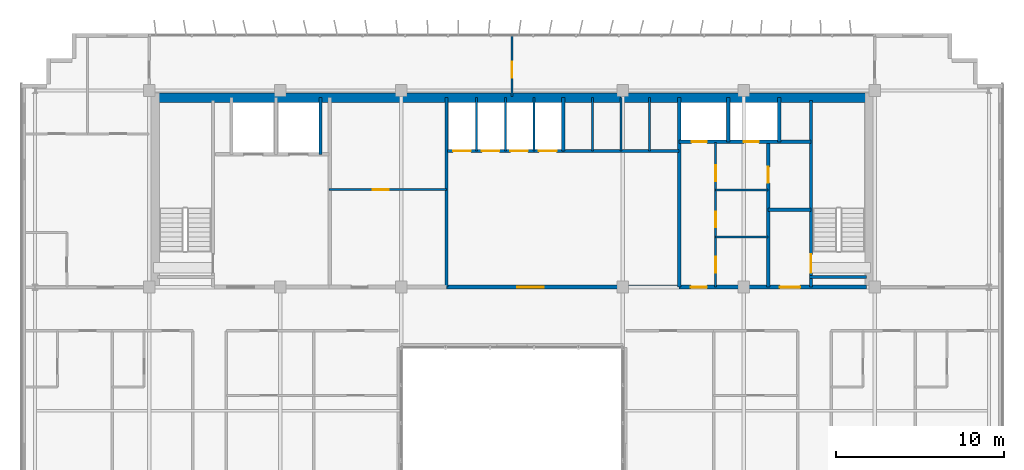
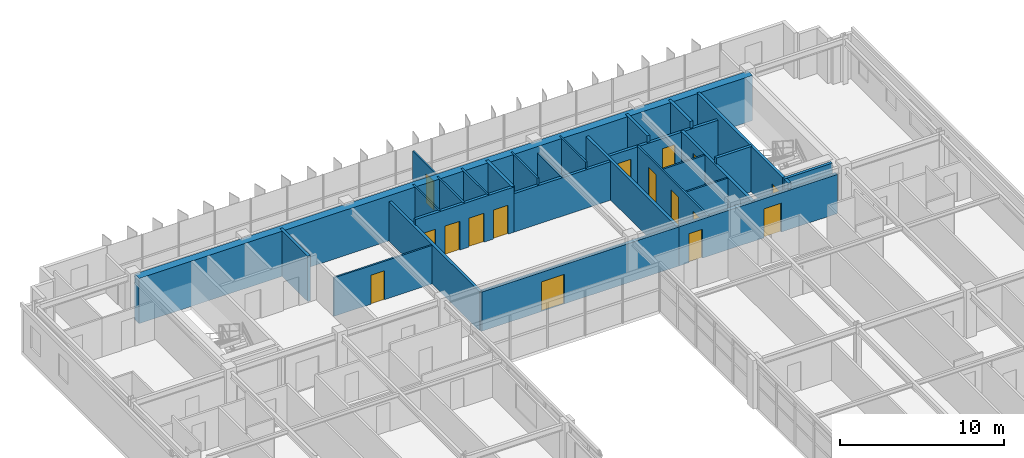
# One storey, part 32 of 35: 27 walls, 16 doors, 16 openings.
"""IFC4 building model written with IfcOpenShell, lengths in metres."""

from ifc_helpers import new_model, si_unit, direction, frame, frame_2d, origin, place, context, subcontext, project, spatial, rectangle, extrude, source, transform, mapped, material, layer, layer_set, type_object, element, fill, save


model = new_model("IFC4")

# Units and contexts
model_context = context("Model", 3, precision=1e-05, world=origin(), true_north=direction((0.0, 1.0)))
body_context = subcontext(model_context, "Body", "Model", "MODEL_VIEW")
ifc_project = project(units=[si_unit("LENGTHUNIT", "METRE"), si_unit("AREAUNIT", "SQUARE_METRE"), si_unit("VOLUMEUNIT", "CUBIC_METRE"), si_unit("PLANEANGLEUNIT", "RADIAN"), si_unit("MASSUNIT", "GRAM", prefix="KILO")], contexts=[model_context])

# Site, building, storey
site_placement = place(None, origin())
site = spatial("IfcSite", under=ifc_project, at=site_placement, CompositionType="ELEMENT")
building_placement = place(site_placement, origin())
building = spatial("IfcBuilding", under=site, at=building_placement, Name="Trelvane Seafront Commons", CompositionType="ELEMENT")
storey_placement = place(building_placement, frame((0.0, 0.0, 194.10009765625)))
storey = spatial("IfcBuildingStorey", under=building, at=storey_placement, Name="L50", CompositionType="ELEMENT", Elevation=194.10009765625)

# Wall, opening, door
ifc_material_1 = material(Name="Concrete C40/50", Category="concrete")
ifc_layer_1 = layer(ifc_material_1, 0.199951171875, Name="ARCH-WALL-FIRE200")
ifc_layer_set_1 = layer_set([ifc_layer_1], Name="Concrete C40/50")
wall_type_1 = type_object("IfcWallType", Name="ARCH-WALL-FIRE200", PredefinedType="PARTITIONING", material=ifc_layer_set_1)
wall_1_placement = place(storey_placement, frame((52.449951171875, 33.39990234375, 0.0), z_axis=(0.0, 0.0, 1.0), x_axis=(0.0, 1.0, 0.0)))
wall_1 = element("IfcWall", 1, at=wall_1_placement, inside=storey, type_object=wall_type_1, Name="W-L50-ST2V-W-031", PredefinedType="PARTITIONING", context=body_context, shape_type="SweptSolid", body=[
    extrude(rectangle(XDim=8.650146484375, YDim=0.199951171875, at=frame_2d((4.3251953125, 0.0))), origin(), (0.0, 0.0, 1.0), 2.909912109375),
])
opening_1_placement = place(wall_1_placement, frame((6.199951171875, 0.0, 0.0)))
opening_1 = element("IfcOpeningElement", 2, at=opening_1_placement, cuts=wall_1, Name="Opening FD-L50-15", PredefinedType="OPENING", context=body_context, shape_type="SweptSolid", body=[
    extrude(rectangle(XDim=0.949951171875, YDim=2.14990234375, at=frame_2d((0.47509765625, 1.074951171875))), frame((0.0, 0.10986328125, 0.0), z_axis=(0.0, -1.0, 0.0), x_axis=(1.0, 0.0, 0.0)), (0.0, 0.0, 1.0), 0.219970703125),
])
ifc_material_2 = material(Name="Powder-coated aluminium frame", Category="aluminium")
door_type_1 = type_object("IfcDoorType", Name="ARCH-DR-FD60-950", OperationType="NOTDEFINED", PredefinedType="DOOR", material=ifc_material_2)
shared_shape_1 = source(origin(), body_context, "Body", "SweptSolid", [
    extrude(rectangle(XDim=0.949951171875, YDim=2.14990234375, at=frame_2d((0.47509765625, 1.074951171875))), frame((0.0, 0.02490234375, 0.0), z_axis=(0.0, -1.0, 0.0), x_axis=(1.0, 0.0, 0.0)), (0.0, 0.0, 1.0), 0.050048828125),
])
door_1_placement = place(opening_1_placement, origin())
door_1 = element("IfcDoor", 3, at=door_1_placement, inside=storey, type_object=door_type_1, Name="L50 Cleaner Store Door", OperationType="SINGLE_SWING_LEFT", OverallHeight=2.14990234375, OverallWidth=0.949951171875, PredefinedType="DOOR", context=body_context, shape_type="MappedRepresentation", body=[
    mapped(shared_shape_1, transform((0.0, 0.0, 0.0), x_axis=(1.0, 0.0, 0.0), y_axis=(0.0, 1.0, 0.0), z_axis=(0.0, 0.0, 1.0), scale=1.0)),
])
fill(opening_1, door_1)

# Wall
wall_2_placement = place(storey_placement, frame((52.449951171875, 38.0, 0.0), z_axis=(0.0, 0.0, 1.0), x_axis=(1.0, 0.0, 0.0)))
element("IfcWall", 4, at=wall_2_placement, inside=storey, type_object=wall_type_1, Name="W-L50-ST2V-N-032", PredefinedType="PARTITIONING", context=body_context, shape_type="SweptSolid", body=[
    extrude(rectangle(XDim=2.550048828125, YDim=0.199951171875, at=frame_2d((1.27490234375, 0.0))), origin(), (0.0, 0.0, 1.0), 3.35986328125),
])

# Wall, opening, door
ifc_layer_2 = layer(ifc_material_1, 0.25, Name="ARCH-WALL-FIRE250")
ifc_layer_set_2 = layer_set([ifc_layer_2], Name="Concrete C40/50")
wall_type_2 = type_object("IfcWallType", Name="ARCH-WALL-FIRE250", PredefinedType="PARTITIONING", material=ifc_layer_set_2)
wall_3_placement = place(storey_placement, frame((33.300048828125, 33.39990234375, 0.0), z_axis=(0.0, 0.0, 1.0), x_axis=(1.0, 0.0, 0.0)))
wall_3 = element("IfcWall", 5, at=wall_3_placement, inside=storey, type_object=wall_type_2, Name="W-L50-CS-PAX-027", PredefinedType="PARTITIONING", context=body_context, shape_type="SweptSolid", body=[
    extrude(rectangle(XDim=13.849853515625, YDim=0.25, at=frame_2d((6.9248046875, 0.0))), origin(), (0.0, 0.0, 1.0), 2.909912109375),
])
opening_2_placement = place(wall_3_placement, frame((4.199951171875, 0.0, 0.0)))
opening_2 = element("IfcOpeningElement", 6, at=opening_2_placement, cuts=wall_3, Name="Opening FD-L50-12", PredefinedType="OPENING", context=body_context, shape_type="SweptSolid", body=[
    extrude(rectangle(XDim=1.60009765625, YDim=2.199951171875, at=frame_2d((0.800048828125, 1.10009765625))), frame((0.0, 0.135009765625, 0.0), z_axis=(0.0, -1.0, 0.0), x_axis=(1.0, 0.0, 0.0)), (0.0, 0.0, 1.0), 0.27001953125),
])
door_type_2 = type_object("IfcDoorType", Name="ARCH-DR-FD60-1600", OperationType="DOUBLE_DOOR_SINGLE_SWING", PredefinedType="DOOR", material=ifc_material_2)
shared_shape_2 = source(origin(), body_context, "Body", "SweptSolid", [
    extrude(rectangle(XDim=1.60009765625, YDim=2.199951171875, at=frame_2d((0.800048828125, 1.10009765625))), frame((0.0, 0.02490234375, 0.0), z_axis=(0.0, -1.0, 0.0), x_axis=(1.0, 0.0, 0.0)), (0.0, 0.0, 1.0), 0.050048828125),
])
door_2_placement = place(opening_2_placement, origin())
door_2 = element("IfcDoor", 7, at=door_2_placement, inside=storey, type_object=door_type_2, Name="L50 Passenger Lift Lobby Double Door", OperationType="DOUBLE_DOOR_SINGLE_SWING", OverallHeight=2.199951171875, OverallWidth=1.60009765625, PredefinedType="DOOR", context=body_context, shape_type="MappedRepresentation", body=[
    mapped(shared_shape_2, transform((0.0, 0.0, 0.0), x_axis=(1.0, 0.0, 0.0), y_axis=(0.0, 1.0, 0.0), z_axis=(0.0, 0.0, 1.0), scale=1.0)),
])
fill(opening_2, door_2)

# Wall, openings, doors
wall_4_placement = place(storey_placement, frame((47.14990234375, 33.39990234375, 0.0), z_axis=(0.0, 0.0, 1.0), x_axis=(1.0, 0.0, 0.0)))
wall_4 = element("IfcWall", 8, at=wall_4_placement, inside=storey, type_object=wall_type_2, Name="W-L50-CS-EAST-036", PredefinedType="PARTITIONING", context=body_context, shape_type="SweptSolid", body=[
    extrude(rectangle(XDim=11.150146484375, YDim=0.25, at=frame_2d((5.5751953125, 0.0))), origin(), (0.0, 0.0, 1.0), 2.909912109375),
])
opening_3_placement = place(wall_4_placement, frame((0.699951171875, 0.0, 0.0)))
opening_3 = element("IfcOpeningElement", 9, at=opening_3_placement, cuts=wall_4, Name="Opening FD-L50-19", PredefinedType="OPENING", context=body_context, shape_type="SweptSolid", body=[
    extrude(rectangle(XDim=0.949951171875, YDim=2.14990234375, at=frame_2d((0.47509765625, 1.074951171875))), frame((0.0, 0.135009765625, 0.0), z_axis=(0.0, -1.0, 0.0), x_axis=(1.0, 0.0, 0.0)), (0.0, 0.0, 1.0), 0.27001953125),
])
opening_4_placement = place(wall_4_placement, frame((6.0, 0.0, 0.0)))
opening_4 = element("IfcOpeningElement", 10, at=opening_4_placement, cuts=wall_4, Name="Opening FD-L50-20", PredefinedType="OPENING", context=body_context, shape_type="SweptSolid", body=[
    extrude(rectangle(XDim=1.199951171875, YDim=2.14990234375, at=frame_2d((0.60009765625, 1.074951171875))), frame((0.0, 0.135009765625, 0.0), z_axis=(0.0, -1.0, 0.0), x_axis=(1.0, 0.0, 0.0)), (0.0, 0.0, 1.0), 0.27001953125),
])
door_3_placement = place(opening_3_placement, origin())
door_3 = element("IfcDoor", 11, at=door_3_placement, inside=storey, type_object=door_type_1, Name="L50 Core Service Lobby Door", OperationType="SINGLE_SWING_LEFT", OverallHeight=2.14990234375, OverallWidth=0.949951171875, PredefinedType="DOOR", context=body_context, shape_type="MappedRepresentation", body=[
    mapped(shared_shape_1, transform((0.0, 0.0, 0.0), x_axis=(1.0, 0.0, 0.0), y_axis=(0.0, 1.0, 0.0), z_axis=(0.0, 0.0, 1.0), scale=1.0)),
])
fill(opening_3, door_3)
door_type_3 = type_object("IfcDoorType", Name="ARCH-DR-FD60-1200", OperationType="NOTDEFINED", PredefinedType="DOOR", material=ifc_material_2)
shared_shape_3 = source(origin(), body_context, "Body", "SweptSolid", [
    extrude(rectangle(XDim=1.199951171875, YDim=2.14990234375, at=frame_2d((0.60009765625, 1.074951171875))), frame((0.0, 0.02490234375, 0.0), z_axis=(0.0, -1.0, 0.0), x_axis=(1.0, 0.0, 0.0)), (0.0, 0.0, 1.0), 0.050048828125),
])
door_4_placement = place(opening_4_placement, origin())
door_4 = element("IfcDoor", 12, at=door_4_placement, inside=storey, type_object=door_type_3, Name="L50 East Stair Vestibule Fire Door", OperationType="SINGLE_SWING_RIGHT", OverallHeight=2.14990234375, OverallWidth=1.199951171875, PredefinedType="DOOR", context=body_context, shape_type="MappedRepresentation", body=[
    mapped(shared_shape_3, transform((0.0, 0.0, 0.0), x_axis=(1.0, 0.0, 0.0), y_axis=(0.0, 1.0, 0.0), z_axis=(0.0, 0.0, 1.0), scale=1.0)),
])
fill(opening_4, door_4)

# Wall, opening, door
ifc_material_3 = material(Name="Gypsum Drywall Acoustic Partition")
ifc_layer_3 = layer(ifc_material_3, 0.1201171875, Name="ARCH-WALL-PART120")
ifc_layer_set_3 = layer_set([ifc_layer_3], Name="Gypsum Drywall Acoustic Partition")
wall_type_3 = type_object("IfcWallType", Name="ARCH-WALL-PART120", PredefinedType="PARTITIONING", material=ifc_layer_set_3)
wall_5_placement = place(storey_placement, frame((26.300048828125, 39.199951171875, 0.0), z_axis=(0.0, 0.0, 1.0), x_axis=(1.0, 0.0, 0.0)))
wall_5 = element("IfcWall", 13, at=wall_5_placement, inside=storey, type_object=wall_type_3, Name="W-L50-FREED-PL-MID-014", PredefinedType="PARTITIONING", context=body_context, shape_type="SweptSolid", body=[
    extrude(rectangle(XDim=7.0, YDim=0.1201171875, at=frame_2d((3.5, 0.0))), origin(), (0.0, 0.0, 1.0), 2.85986328125),
])
opening_5_placement = place(wall_5_placement, frame((2.60009765625, 0.0, 0.0)))
opening_5 = element("IfcOpeningElement", 14, at=opening_5_placement, cuts=wall_5, Name="Opening D-L50-06", PredefinedType="OPENING", context=body_context, shape_type="SweptSolid", body=[
    extrude(rectangle(XDim=0.949951171875, YDim=2.14990234375, at=frame_2d((0.47509765625, 1.074951171875))), frame((0.0, 0.070068359375, 0.0), z_axis=(0.0, -1.0, 0.0), x_axis=(1.0, 0.0, 0.0)), (0.0, 0.0, 1.0), 0.14013671875),
])
ifc_material_4 = material(Name="Acoustic timber door leaf", Category="wood")
door_type_4 = type_object("IfcDoorType", Name="ARCH-DR-INT950", OperationType="NOTDEFINED", PredefinedType="DOOR", material=ifc_material_4)
door_5_placement = place(opening_5_placement, origin())
door_5 = element("IfcDoor", 15, at=door_5_placement, inside=storey, type_object=door_type_4, Name="L50 Housekeeping Store Door", OperationType="SINGLE_SWING_RIGHT", OverallHeight=2.14990234375, OverallWidth=0.949951171875, PredefinedType="DOOR", context=body_context, shape_type="MappedRepresentation", body=[
    mapped(shared_shape_1, transform((0.0, 0.0, 0.0), x_axis=(1.0, 0.0, 0.0), y_axis=(0.0, 1.0, 0.0), z_axis=(0.0, 0.0, 1.0), scale=1.0)),
])
fill(opening_5, door_5)

# Walls
for number, where, z_axis, x_axis, name in (
    (16, (35.10009765625, 41.5, 0.0), (0.0, 0.0, 1.0), (0.0, 1.0, 0.0), "W-L50-PM-DIV1-017"),
    (17, (36.800048828125, 41.5, 0.0), (0.0, 0.0, 1.0), (0.0, 1.0, 0.0), "W-L50-PM-DIV2-018"),
    (18, (38.5, 41.5, 0.0), (0.0, 0.0, 1.0), (0.0, 1.0, 0.0), "W-L50-PM-DIV3-019"),
    (19, (42.0, 41.5, 0.0), (0.0, 0.0, 1.0), (0.0, 1.0, 0.0), "W-L50-PH-DIV1-022"),
):
    element("IfcWall", number, at=place(storey_placement, frame(where, z_axis=z_axis, x_axis=x_axis)), inside=storey, type_object=wall_type_3, Name=name, PredefinedType="PARTITIONING", context=body_context, shape_type="SweptSolid", body=[
        extrude(rectangle(XDim=3.199951171875, YDim=0.1201171875, at=frame_2d((1.60009765625, 0.0))), origin(), (0.0, 0.0, 1.0), 3.35986328125),
    ])
wall_6_placement = place(storey_placement, frame((43.699951171875, 41.5, 0.0), z_axis=(0.0, 0.0, 1.0), x_axis=(0.0, 1.0, 0.0)))
element("IfcWall", 20, at=wall_6_placement, inside=storey, type_object=wall_type_3, Name="W-L50-PH-DIV2-023", PredefinedType="PARTITIONING", context=body_context, shape_type="SweptSolid", body=[
    extrude(rectangle(XDim=3.199951171875, YDim=0.1201171875, at=frame_2d((1.60009765625, 0.0))), origin(), (0.0, 0.0, 1.0), 2.85986328125),
])
wall_7_placement = place(storey_placement, frame((45.39990234375, 41.5, 0.0), z_axis=(0.0, 0.0, 1.0), x_axis=(0.0, 1.0, 0.0)))
element("IfcWall", 21, at=wall_7_placement, inside=storey, type_object=wall_type_3, Name="W-L50-PH-DIV3-024", PredefinedType="PARTITIONING", context=body_context, shape_type="SweptSolid", body=[
    extrude(rectangle(XDim=3.199951171875, YDim=0.1201171875, at=frame_2d((1.60009765625, 0.0))), origin(), (0.0, 0.0, 1.0), 3.35986328125),
])

# Wall, openings, doors
wall_8_placement = place(storey_placement, frame((49.320068359375, 33.39990234375, 0.0), z_axis=(0.0, 0.0, 1.0), x_axis=(0.0, 1.0, 0.0)))
wall_8 = element("IfcWall", 22, at=wall_8_placement, inside=storey, type_object=wall_type_3, Name="W-L50-CYC3-V-033", PredefinedType="PARTITIONING", context=body_context, shape_type="SweptSolid", body=[
    extrude(rectangle(XDim=8.60009765625, YDim=0.1201171875, at=frame_2d((4.300048828125, 0.0))), origin(), (0.0, 0.0, 1.0), 2.909912109375),
])
opening_6_placement = place(wall_8_placement, frame((0.85009765625, 0.0, 0.0)))
opening_6 = element("IfcOpeningElement", 23, at=opening_6_placement, cuts=wall_8, Name="Opening D-L50-16", PredefinedType="OPENING", context=body_context, shape_type="SweptSolid", body=[
    extrude(rectangle(XDim=0.949951171875, YDim=2.14990234375, at=frame_2d((0.47509765625, 1.074951171875))), frame((0.0, 0.070068359375, 0.0), z_axis=(0.0, -1.0, 0.0), x_axis=(1.0, 0.0, 0.0)), (0.0, 0.0, 1.0), 0.14013671875),
])
opening_7_placement = place(wall_8_placement, frame((3.550048828125, 0.0, 0.0)))
opening_7 = element("IfcOpeningElement", 24, at=opening_7_placement, cuts=wall_8, Name="Opening D-L50-17", PredefinedType="OPENING", context=body_context, shape_type="SweptSolid", body=[
    extrude(rectangle(XDim=0.949951171875, YDim=2.14990234375, at=frame_2d((0.47509765625, 1.074951171875))), frame((0.0, 0.070068359375, 0.0), z_axis=(0.0, -1.0, 0.0), x_axis=(1.0, 0.0, 0.0)), (0.0, 0.0, 1.0), 0.14013671875),
])
opening_8_placement = place(wall_8_placement, frame((6.300048828125, 0.0, 0.0)))
opening_8 = element("IfcOpeningElement", 25, at=opening_8_placement, cuts=wall_8, Name="Opening D-L50-18", PredefinedType="OPENING", context=body_context, shape_type="SweptSolid", body=[
    extrude(rectangle(XDim=0.949951171875, YDim=2.14990234375, at=frame_2d((0.47509765625, 1.074951171875))), frame((0.0, 0.070068359375, 0.0), z_axis=(0.0, -1.0, 0.0), x_axis=(1.0, 0.0, 0.0)), (0.0, 0.0, 1.0), 0.14013671875),
])
door_6_placement = place(opening_6_placement, origin())
door_6 = element("IfcDoor", 26, at=door_6_placement, inside=storey, type_object=door_type_4, Name="L50 Accessible WC Door", OperationType="SINGLE_SWING_RIGHT", OverallHeight=2.14990234375, OverallWidth=0.949951171875, PredefinedType="DOOR", context=body_context, shape_type="MappedRepresentation", body=[
    mapped(shared_shape_1, transform((0.0, 0.0, 0.0), x_axis=(1.0, 0.0, 0.0), y_axis=(0.0, 1.0, 0.0), z_axis=(0.0, 0.0, 1.0), scale=1.0)),
])
fill(opening_6, door_6)
door_7_placement = place(opening_7_placement, origin())
door_7 = element("IfcDoor", 27, at=door_7_placement, inside=storey, type_object=door_type_4, Name="L50 Staff WC Door", OperationType="SINGLE_SWING_LEFT", OverallHeight=2.14990234375, OverallWidth=0.949951171875, PredefinedType="DOOR", context=body_context, shape_type="MappedRepresentation", body=[
    mapped(shared_shape_1, transform((0.0, 0.0, 0.0), x_axis=(1.0, 0.0, 0.0), y_axis=(0.0, 1.0, 0.0), z_axis=(0.0, 0.0, 1.0), scale=1.0)),
])
fill(opening_7, door_7)
door_8_placement = place(opening_8_placement, origin())
door_8 = element("IfcDoor", 28, at=door_8_placement, inside=storey, type_object=door_type_4, Name="L50 Electrical Room Door", OperationType="SINGLE_SWING_RIGHT", OverallHeight=2.14990234375, OverallWidth=0.949951171875, PredefinedType="DOOR", context=body_context, shape_type="MappedRepresentation", body=[
    mapped(shared_shape_1, transform((0.0, 0.0, 0.0), x_axis=(1.0, 0.0, 0.0), y_axis=(0.0, 1.0, 0.0), z_axis=(0.0, 0.0, 1.0), scale=1.0)),
])
fill(opening_8, door_8)

# Walls
for number, where, z_axis, x_axis, name in (
    (29, (49.320068359375, 36.3798828125, 0.0), (0.0, 0.0, 1.0), (1.0, 0.0, 0.0), "W-L50-CYC3-H1-034"),
    (30, (49.320068359375, 39.179931640625, 0.0), (0.0, 0.0, 1.0), (1.0, 0.0, 0.0), "W-L50-CYC3-H2-035"),
):
    element("IfcWall", number, at=place(storey_placement, frame(where, z_axis=z_axis, x_axis=x_axis)), inside=storey, type_object=wall_type_3, Name=name, PredefinedType="PARTITIONING", context=body_context, shape_type="SweptSolid", body=[
        extrude(rectangle(XDim=3.1298828125, YDim=0.1201171875, at=frame_2d((1.56494140625, 0.0))), origin(), (0.0, 0.0, 1.0), 2.85986328125),
    ])

# Wall, opening, door
wall_9_placement = place(storey_placement, frame((37.199951171875, 44.75, 0.0), z_axis=(0.0, 0.0, 1.0), x_axis=(0.0, 1.0, 0.0)))
wall_9 = element("IfcWall", 31, at=wall_9_placement, inside=storey, type_object=wall_type_3, Name="W-L50-N-MID-DV-044", PredefinedType="PARTITIONING", context=body_context, shape_type="SweptSolid", body=[
    extrude(rectangle(XDim=3.610107421875, YDim=0.1201171875, at=frame_2d((1.80517578125, 0.0))), origin(), (0.0, 0.0, 1.0), 2.909912109375),
])
opening_9_placement = place(wall_9_placement, frame((1.10009765625, 0.0, 0.0)))
opening_9 = element("IfcOpeningElement", 32, at=opening_9_placement, cuts=wall_9, Name="Opening D-L50-26", PredefinedType="OPENING", context=body_context, shape_type="SweptSolid", body=[
    extrude(rectangle(XDim=0.949951171875, YDim=2.14990234375, at=frame_2d((0.47509765625, 1.074951171875))), frame((0.0, 0.070068359375, 0.0), z_axis=(0.0, -1.0, 0.0), x_axis=(1.0, 0.0, 0.0)), (0.0, 0.0, 1.0), 0.14013671875),
])
door_9_placement = place(opening_9_placement, origin())
door_9 = element("IfcDoor", 33, at=door_9_placement, inside=storey, type_object=door_type_4, Name="L50 Door 26", OperationType="SINGLE_SWING_RIGHT", OverallHeight=2.14990234375, OverallWidth=0.949951171875, PredefinedType="DOOR", context=body_context, shape_type="MappedRepresentation", body=[
    mapped(shared_shape_1, transform((0.0, 0.0, 0.0), x_axis=(1.0, 0.0, 0.0), y_axis=(0.0, 1.0, 0.0), z_axis=(0.0, 0.0, 1.0), scale=1.0)),
])
fill(opening_9, door_9)

# Walls
ifc_layer_4 = layer(ifc_material_1, 0.199951171875, Name="ARCH-WALL-SHAFT200")
ifc_layer_set_4 = layer_set([ifc_layer_4], Name="Concrete C40/50")
wall_type_4 = type_object("IfcWallType", Name="ARCH-WALL-SHAFT200", PredefinedType="SOLIDWALL", material=ifc_layer_set_4)
wall_10_placement = place(storey_placement, frame((25.800048828125, 41.300048828125, 0.0), z_axis=(0.0, 0.0, 1.0), x_axis=(0.0, 1.0, 0.0)))
element("IfcWall", 34, at=wall_10_placement, inside=storey, type_object=wall_type_4, Name="W-L50-FFL-SH-E-011", PredefinedType="SOLIDWALL", context=body_context, shape_type="SweptSolid", body=[
    extrude(rectangle(XDim=3.39990234375, YDim=0.199951171875, at=frame_2d((1.699951171875, 0.0))), origin(), (0.0, 0.0, 1.0), 3.35986328125),
])
wall_11_placement = place(storey_placement, frame((33.300048828125, 33.39990234375, 0.0), z_axis=(0.0, 0.0, 1.0), x_axis=(0.0, 1.0, 0.0)))
element("IfcWall", 35, at=wall_11_placement, inside=storey, type_object=wall_type_4, Name="W-L50-FREED-PL-E-015", PredefinedType="SOLIDWALL", context=body_context, shape_type="SweptSolid", body=[
    extrude(rectangle(XDim=11.300048828125, YDim=0.199951171875, at=frame_2d((5.64990234375, 0.0))), origin(), (0.0, 0.0, 1.0), 2.909912109375),
])

# Wall, openings, doors
wall_12_placement = place(storey_placement, frame((33.35009765625, 41.5, 0.0), z_axis=(0.0, 0.0, 1.0), x_axis=(1.0, 0.0, 0.0)))
wall_12 = element("IfcWall", 36, at=wall_12_placement, inside=storey, type_object=wall_type_4, Name="W-L50-PM-FRONT-016", PredefinedType="SOLIDWALL", context=body_context, shape_type="SweptSolid", body=[
    extrude(rectangle(XDim=6.89990234375, YDim=0.199951171875, at=frame_2d((3.449951171875, 0.0))), origin(), (0.0, 0.0, 1.0), 3.35986328125),
])
opening_10_placement = place(wall_12_placement, frame((0.35009765625, 0.0, 0.0)))
opening_10 = element("IfcOpeningElement", 37, at=opening_10_placement, cuts=wall_12, Name="Opening LD-PM1-L50", PredefinedType="OPENING", context=body_context, shape_type="SweptSolid", body=[
    extrude(rectangle(XDim=1.050048828125, YDim=2.14990234375, at=frame_2d((0.52490234375, 1.074951171875))), frame((0.0, 0.10986328125, 0.0), z_axis=(0.0, -1.0, 0.0), x_axis=(1.0, 0.0, 0.0)), (0.0, 0.0, 1.0), 0.219970703125),
])
opening_11_placement = place(wall_12_placement, frame((2.050048828125, 0.0, 0.0)))
opening_11 = element("IfcOpeningElement", 38, at=opening_11_placement, cuts=wall_12, Name="Opening LD-PM2-L50", PredefinedType="OPENING", context=body_context, shape_type="SweptSolid", body=[
    extrude(rectangle(XDim=1.050048828125, YDim=2.14990234375, at=frame_2d((0.52490234375, 1.074951171875))), frame((0.0, 0.10986328125, 0.0), z_axis=(0.0, -1.0, 0.0), x_axis=(1.0, 0.0, 0.0)), (0.0, 0.0, 1.0), 0.219970703125),
])
opening_12_placement = place(wall_12_placement, frame((3.75, 0.0, 0.0)))
opening_12 = element("IfcOpeningElement", 39, at=opening_12_placement, cuts=wall_12, Name="Opening LD-PM3-L50", PredefinedType="OPENING", context=body_context, shape_type="SweptSolid", body=[
    extrude(rectangle(XDim=1.050048828125, YDim=2.14990234375, at=frame_2d((0.52490234375, 1.074951171875))), frame((0.0, 0.10986328125, 0.0), z_axis=(0.0, -1.0, 0.0), x_axis=(1.0, 0.0, 0.0)), (0.0, 0.0, 1.0), 0.219970703125),
])
opening_13_placement = place(wall_12_placement, frame((5.449951171875, 0.0, 0.0)))
opening_13 = element("IfcOpeningElement", 40, at=opening_13_placement, cuts=wall_12, Name="Opening LD-PM4-L50", PredefinedType="OPENING", context=body_context, shape_type="SweptSolid", body=[
    extrude(rectangle(XDim=1.050048828125, YDim=2.14990234375, at=frame_2d((0.52490234375, 1.074951171875))), frame((0.0, 0.10986328125, 0.0), z_axis=(0.0, -1.0, 0.0), x_axis=(1.0, 0.0, 0.0)), (0.0, 0.0, 1.0), 0.219970703125),
])
ifc_material_5 = material(Name="Stainless steel balustrade", Category="steel")
door_type_5 = type_object("IfcDoorType", Name="ARCH-DR-LD1050", OperationType="DOUBLE_DOOR_SLIDING", PredefinedType="DOOR", material=ifc_material_5)
shared_shape_4 = source(origin(), body_context, "Body", "SweptSolid", [
    extrude(rectangle(XDim=1.050048828125, YDim=2.14990234375, at=frame_2d((0.52490234375, 1.074951171875))), frame((0.0, 0.02490234375, 0.0), z_axis=(0.0, -1.0, 0.0), x_axis=(1.0, 0.0, 0.0)), (0.0, 0.0, 1.0), 0.050048828125),
])
door_10_placement = place(opening_10_placement, origin())
door_10 = element("IfcDoor", 41, at=door_10_placement, inside=storey, type_object=door_type_5, Name="L50 Passenger Lift PM-1 Landing Door", OperationType="DOUBLE_DOOR_SLIDING", OverallHeight=2.14990234375, OverallWidth=1.050048828125, PredefinedType="DOOR", context=body_context, shape_type="MappedRepresentation", body=[
    mapped(shared_shape_4, transform((0.0, 0.0, 0.0), x_axis=(1.0, 0.0, 0.0), y_axis=(0.0, 1.0, 0.0), z_axis=(0.0, 0.0, 1.0), scale=1.0)),
])
fill(opening_10, door_10)
door_11_placement = place(opening_11_placement, origin())
door_11 = element("IfcDoor", 42, at=door_11_placement, inside=storey, type_object=door_type_5, Name="L50 Passenger Lift PM-2 Landing Door", OperationType="DOUBLE_DOOR_SLIDING", OverallHeight=2.14990234375, OverallWidth=1.050048828125, PredefinedType="DOOR", context=body_context, shape_type="MappedRepresentation", body=[
    mapped(shared_shape_4, transform((0.0, 0.0, 0.0), x_axis=(1.0, 0.0, 0.0), y_axis=(0.0, 1.0, 0.0), z_axis=(0.0, 0.0, 1.0), scale=1.0)),
])
fill(opening_11, door_11)
door_12_placement = place(opening_12_placement, origin())
door_12 = element("IfcDoor", 43, at=door_12_placement, inside=storey, type_object=door_type_5, Name="L50 Passenger Lift PM-3 Landing Door", OperationType="DOUBLE_DOOR_SLIDING", OverallHeight=2.14990234375, OverallWidth=1.050048828125, PredefinedType="DOOR", context=body_context, shape_type="MappedRepresentation", body=[
    mapped(shared_shape_4, transform((0.0, 0.0, 0.0), x_axis=(1.0, 0.0, 0.0), y_axis=(0.0, 1.0, 0.0), z_axis=(0.0, 0.0, 1.0), scale=1.0)),
])
fill(opening_12, door_12)
door_13_placement = place(opening_13_placement, origin())
door_13 = element("IfcDoor", 44, at=door_13_placement, inside=storey, type_object=door_type_5, Name="L50 Passenger Lift PM-4 Landing Door", OperationType="DOUBLE_DOOR_SLIDING", OverallHeight=2.14990234375, OverallWidth=1.050048828125, PredefinedType="DOOR", context=body_context, shape_type="MappedRepresentation", body=[
    mapped(shared_shape_4, transform((0.0, 0.0, 0.0), x_axis=(1.0, 0.0, 0.0), y_axis=(0.0, 1.0, 0.0), z_axis=(0.0, 0.0, 1.0), scale=1.0)),
])
fill(opening_13, door_13)

# Walls
wall_13_placement = place(storey_placement, frame((40.25, 41.5, 0.0), z_axis=(0.0, 0.0, 1.0), x_axis=(1.0, 0.0, 0.0)))
element("IfcWall", 45, at=wall_13_placement, inside=storey, type_object=wall_type_4, Name="W-L50-PH-FRONT-020", PredefinedType="SOLIDWALL", context=body_context, shape_type="SweptSolid", body=[
    extrude(rectangle(XDim=6.89990234375, YDim=0.199951171875, at=frame_2d((3.449951171875, 0.0))), origin(), (0.0, 0.0, 1.0), 2.85986328125),
])
wall_14_placement = place(storey_placement, frame((40.25, 41.5, 0.0), z_axis=(0.0, 0.0, 1.0), x_axis=(0.0, 1.0, 0.0)))
element("IfcWall", 46, at=wall_14_placement, inside=storey, type_object=wall_type_4, Name="W-L50-PH-WEST-SH-021", PredefinedType="SOLIDWALL", context=body_context, shape_type="SweptSolid", body=[
    extrude(rectangle(XDim=3.199951171875, YDim=0.199951171875, at=frame_2d((1.60009765625, 0.0))), origin(), (0.0, 0.0, 1.0), 3.35986328125),
])
wall_15_placement = place(storey_placement, frame((47.14990234375, 33.39990234375, 0.0), z_axis=(0.0, 0.0, 1.0), x_axis=(0.0, 1.0, 0.0)))
element("IfcWall", 47, at=wall_15_placement, inside=storey, type_object=wall_type_4, Name="W-L50-PH-EAST-025", PredefinedType="SOLIDWALL", context=body_context, shape_type="SweptSolid", body=[
    extrude(rectangle(XDim=11.300048828125, YDim=0.199951171875, at=frame_2d((5.64990234375, 0.0))), origin(), (0.0, 0.0, 1.0), 2.909912109375),
])

# Wall, openings, doors
wall_16_placement = place(storey_placement, frame((47.14990234375, 42.050048828125, 0.0), z_axis=(0.0, 0.0, 1.0), x_axis=(1.0, 0.0, 0.0)))
wall_16 = element("IfcWall", 48, at=wall_16_placement, inside=storey, type_object=wall_type_4, Name="W-L50-RSR-S-028", PredefinedType="SOLIDWALL", context=body_context, shape_type="SweptSolid", body=[
    extrude(rectangle(XDim=7.85009765625, YDim=0.199951171875, at=frame_2d((3.925048828125, 0.0))), origin(), (0.0, 0.0, 1.0), 2.85986328125),
])
opening_14_placement = place(wall_16_placement, frame((0.75, 0.0, 0.0)))
opening_14 = element("IfcOpeningElement", 49, at=opening_14_placement, cuts=wall_16, Name="Opening FD-L50-13", PredefinedType="OPENING", context=body_context, shape_type="SweptSolid", body=[
    extrude(rectangle(XDim=0.89990234375, YDim=2.10009765625, at=frame_2d((0.449951171875, 1.050048828125))), frame((0.0, 0.10986328125, 0.0), z_axis=(0.0, -1.0, 0.0), x_axis=(1.0, 0.0, 0.0)), (0.0, 0.0, 1.0), 0.219970703125),
])
opening_15_placement = place(wall_16_placement, frame((3.85009765625, 0.0, 0.0)))
opening_15 = element("IfcOpeningElement", 50, at=opening_15_placement, cuts=wall_16, Name="Opening FD-L50-14", PredefinedType="OPENING", context=body_context, shape_type="SweptSolid", body=[
    extrude(rectangle(XDim=0.89990234375, YDim=2.10009765625, at=frame_2d((0.449951171875, 1.050048828125))), frame((0.0, 0.10986328125, 0.0), z_axis=(0.0, -1.0, 0.0), x_axis=(1.0, 0.0, 0.0)), (0.0, 0.0, 1.0), 0.219970703125),
])
door_type_6 = type_object("IfcDoorType", Name="ARCH-DR-FD60-900", OperationType="NOTDEFINED", PredefinedType="DOOR", material=ifc_material_2)
shared_shape_5 = source(origin(), body_context, "Body", "SweptSolid", [
    extrude(rectangle(XDim=0.89990234375, YDim=2.10009765625, at=frame_2d((0.449951171875, 1.050048828125))), frame((0.0, 0.02490234375, 0.0), z_axis=(0.0, -1.0, 0.0), x_axis=(1.0, 0.0, 0.0)), (0.0, 0.0, 1.0), 0.050048828125),
])
door_14_placement = place(opening_14_placement, origin())
door_14 = element("IfcDoor", 51, at=door_14_placement, inside=storey, type_object=door_type_6, Name="L50 Electrical Riser Access Door", OperationType="SINGLE_SWING_LEFT", OverallHeight=2.10009765625, OverallWidth=0.89990234375, PredefinedType="DOOR", context=body_context, shape_type="MappedRepresentation", body=[
    mapped(shared_shape_5, transform((0.0, 0.0, 0.0), x_axis=(1.0, 0.0, 0.0), y_axis=(0.0, 1.0, 0.0), z_axis=(0.0, 0.0, 1.0), scale=1.0)),
])
fill(opening_14, door_14)
door_15_placement = place(opening_15_placement, origin())
door_15 = element("IfcDoor", 52, at=door_15_placement, inside=storey, type_object=door_type_6, Name="L50 Mechanical Riser Access Door", OperationType="SINGLE_SWING_RIGHT", OverallHeight=2.10009765625, OverallWidth=0.89990234375, PredefinedType="DOOR", context=body_context, shape_type="MappedRepresentation", body=[
    mapped(shared_shape_5, transform((0.0, 0.0, 0.0), x_axis=(1.0, 0.0, 0.0), y_axis=(0.0, 1.0, 0.0), z_axis=(0.0, 0.0, 1.0), scale=1.0)),
])
fill(opening_15, door_15)

# Walls
for number, where, z_axis, x_axis, name in (
    (53, (50.080078125, 42.050048828125, 0.0), (0.0, 0.0, 1.0), (0.0, 1.0, 0.0), "W-L50-RSR-DIV-029"),
    (54, (53.10009765625, 42.050048828125, 0.0), (0.0, 0.0, 1.0), (0.0, 1.0, 0.0), "W-L50-RSR-E-030"),
):
    element("IfcWall", number, at=place(storey_placement, frame(where, z_axis=z_axis, x_axis=x_axis)), inside=storey, type_object=wall_type_4, Name=name, PredefinedType="SOLIDWALL", context=body_context, shape_type="SweptSolid", body=[
        extrude(rectangle(XDim=2.64990234375, YDim=0.199951171875, at=frame_2d((1.324951171875, 0.0))), origin(), (0.0, 0.0, 1.0), 3.35986328125),
    ])
ifc_material_6 = material(Name="Concrete C50/60", Category="concrete")
ifc_layer_5 = layer(ifc_material_6, 0.550048828125, Name="STR-WALL-CORE550")
ifc_layer_set_5 = layer_set([ifc_layer_5], Name="Concrete C50/60")
wall_type_5 = type_object("IfcWallType", Name="STR-WALL-CORE550", PredefinedType="SHEAR", material=ifc_layer_set_5)
wall_17_placement = place(storey_placement, frame((15.64990234375, 44.675048828125, 0.0), z_axis=(0.0, 0.0, 1.0), x_axis=(1.0, 0.0, 0.0)))
element("IfcWall", 55, at=wall_17_placement, inside=storey, type_object=wall_type_5, Name="W-L50-CN-ALL-001", PredefinedType="SHEAR", context=body_context, shape_type="SweptSolid", body=[
    extrude(rectangle(XDim=43.10009765625, YDim=0.550048828125, at=frame_2d((21.550048828125, 0.0))), origin(), (0.0, 0.0, 1.0), 3.35986328125),
])
ifc_layer_6 = layer(ifc_material_6, 0.199951171875, Name="STR-WALL-STAIR200")
ifc_layer_set_6 = layer_set([ifc_layer_6], Name="Concrete C50/60")
wall_type_6 = type_object("IfcWallType", Name="STR-WALL-STAIR200", PredefinedType="SHEAR", material=ifc_layer_set_6)
wall_18_placement = place(storey_placement, frame((54.89990234375, 34.0, 0.0), z_axis=(0.0, 0.0, 1.0), x_axis=(1.0, 0.0, 0.0)))
element("IfcWall", 56, at=wall_18_placement, inside=storey, type_object=wall_type_6, Name="W-L50-ST2-S-006", PredefinedType="SHEAR", context=body_context, shape_type="SweptSolid", body=[
    extrude(rectangle(XDim=3.400146484375, YDim=0.199951171875, at=frame_2d((1.7001953125, 0.0))), origin(), (0.0, 0.0, 1.0), 3.35986328125),
])

# Wall, opening, door
wall_19_placement = place(storey_placement, frame((55.0, 33.39990234375, 0.0), z_axis=(0.0, 0.0, 1.0), x_axis=(0.0, 1.0, 0.0)))
wall_19 = element("IfcWall", 57, at=wall_19_placement, inside=storey, type_object=wall_type_6, Name="W-L50-ST2-W-007", PredefinedType="SHEAR", context=body_context, shape_type="SweptSolid", body=[
    extrude(rectangle(XDim=11.10009765625, YDim=0.199951171875, at=frame_2d((5.550048828125, 0.0))), origin(), (0.0, 0.0, 1.0), 3.35986328125),
])
opening_16_placement = place(wall_19_placement, frame((0.85009765625, 0.0, 0.0)))
opening_16 = element("IfcOpeningElement", 58, at=opening_16_placement, cuts=wall_19, Name="Opening ST-D2-L50", PredefinedType="OPENING", context=body_context, shape_type="SweptSolid", body=[
    extrude(rectangle(XDim=1.10009765625, YDim=2.14990234375, at=frame_2d((0.550048828125, 1.074951171875))), frame((0.0, 0.10986328125, 0.0), z_axis=(0.0, -1.0, 0.0), x_axis=(1.0, 0.0, 0.0)), (0.0, 0.0, 1.0), 0.219970703125),
])
door_type_7 = type_object("IfcDoorType", Name="ARCH-DR-FD90-1100", OperationType="NOTDEFINED", PredefinedType="DOOR", material=ifc_material_2)
shared_shape_6 = source(origin(), body_context, "Body", "SweptSolid", [
    extrude(rectangle(XDim=1.10009765625, YDim=2.14990234375, at=frame_2d((0.550048828125, 1.074951171875))), frame((0.0, 0.02490234375, 0.0), z_axis=(0.0, -1.0, 0.0), x_axis=(1.0, 0.0, 0.0)), (0.0, 0.0, 1.0), 0.050048828125),
])
door_16_placement = place(opening_16_placement, origin())
door_16 = element("IfcDoor", 59, at=door_16_placement, inside=storey, type_object=door_type_7, Name="L50 Stair ST-2 Vestibule Fire Door", OperationType="SINGLE_SWING_RIGHT", OverallHeight=2.14990234375, OverallWidth=1.10009765625, PredefinedType="DOOR", context=body_context, shape_type="MappedRepresentation", body=[
    mapped(shared_shape_6, transform((0.0, 0.0, 0.0), x_axis=(1.0, 0.0, 0.0), y_axis=(0.0, 1.0, 0.0), z_axis=(0.0, 0.0, 1.0), scale=1.0)),
])
fill(opening_16, door_16)

save(model, "model.ifc")
